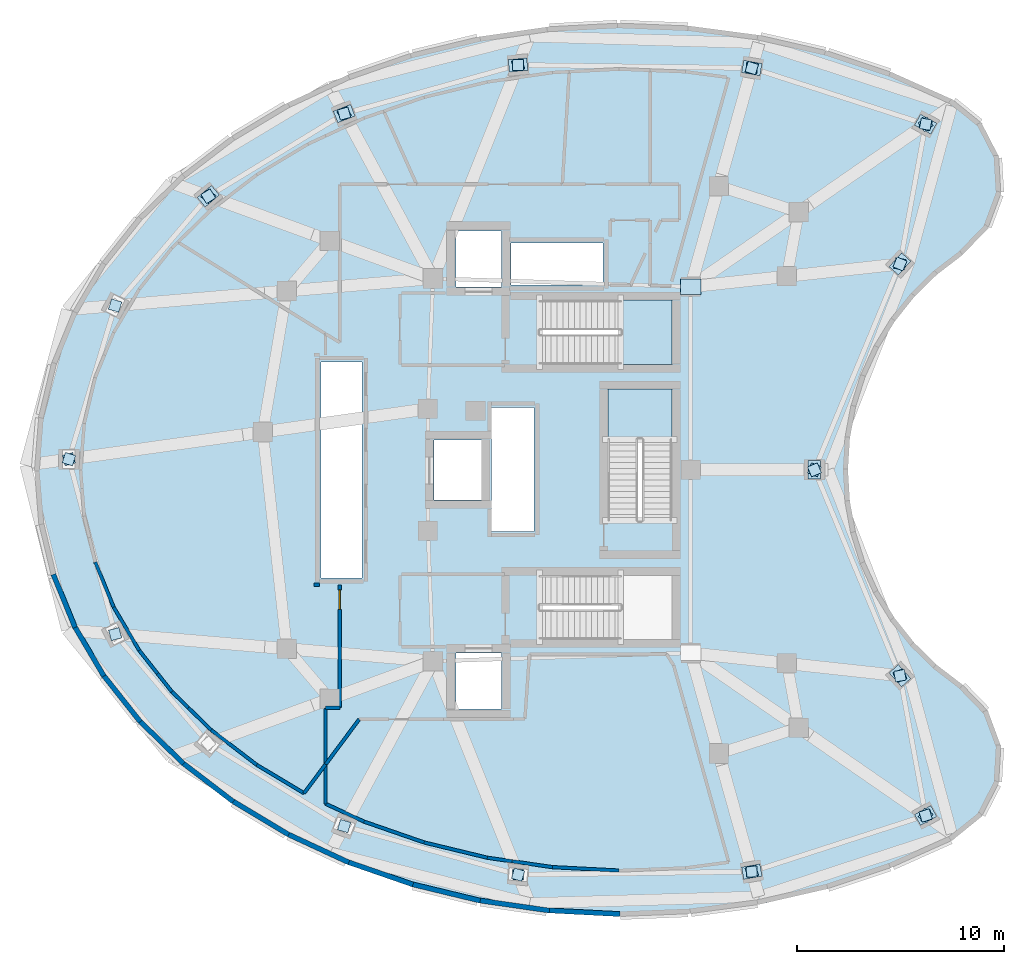
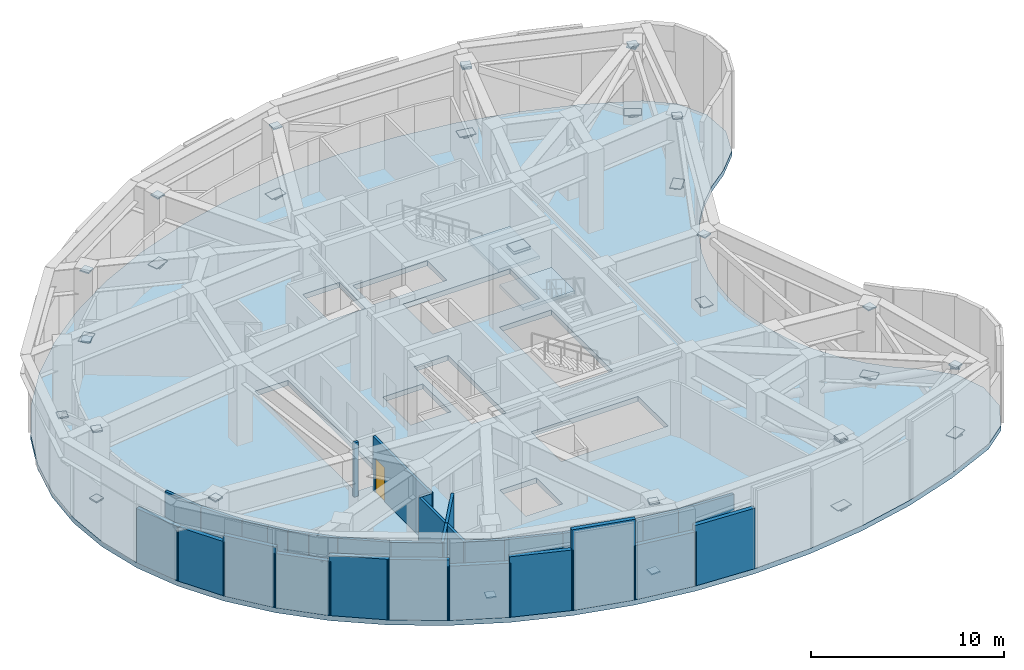
# One storey, part 3 of 10: 43 plates, 32 walls, 3 slabs, 1 door, 1 opening, 2 elements without a shape of their own.
"""IFC4 building model written with IfcOpenShell, lengths in metres."""

from ifc_helpers import new_model, si_unit, direction, frame, frame_2d, origin, origin_2d, place, context, subcontext, project, spatial, polyline, rectangle, outline, extrude, material, layer, layer_set, type_object, element, fill, aggregate, save


model = new_model("IFC4")

# Units and contexts
model_context = context("Model", 3, precision=1e-05, world=origin(), true_north=direction((0.0, 1.0)))
body_context = subcontext(model_context, "Body", "Model", "MODEL_VIEW")
ifc_project = project(units=[si_unit("LENGTHUNIT", "METRE"), si_unit("AREAUNIT", "SQUARE_METRE"), si_unit("VOLUMEUNIT", "CUBIC_METRE"), si_unit("PLANEANGLEUNIT", "RADIAN"), si_unit("MASSUNIT", "GRAM", prefix="KILO")], contexts=[model_context])

# Site, building, storey
site_placement = place(None, origin())
site = spatial("IfcSite", under=ifc_project, at=site_placement, CompositionType="ELEMENT")
building_placement = place(site_placement, origin())
building = spatial("IfcBuilding", under=site, at=building_placement, Name="Korentha Bioscience Tower", CompositionType="ELEMENT")
storey_placement = place(building_placement, frame((0.0, 0.0, 213.0)))
storey = spatial("IfcBuildingStorey", under=building, at=storey_placement, Name="L49", CompositionType="ELEMENT", Elevation=213.0)

# Plates
ifc_material_1 = material(Name="Steel S355", Category="steel")
ifc_layer_1 = layer(ifc_material_1, 0.031982421875, Name="Steel S355")
ifc_layer_set_1 = layer_set([ifc_layer_1], Name="Steel S355 (KN-01)")
plate_type_1 = type_object("IfcPlateType", Name="Belt-Truss Kink Gusset Plate 900x600x32", PredefinedType="USERDEFINED", material=ifc_layer_set_1)
for number, where, z_axis, x_axis, name in (
    (1, (48.912841796875, 43.707763671875, 0.43408203125), (0.0, 0.0, 1.0), (-0.874535078577, 0.484962262797, 0.0), "L49 Belt-Truss Kink Node Gusset KN-01"),
    (2, (40.5087890625, 46.423828125, 0.43408203125), (0.0, 0.0, 1.0), (-0.984868307662, 0.173304404339, 0.0), "L49 Belt-Truss Kink Node Gusset KN-02"),
    (3, (29.209716796875, 46.57080078125, 0.43408203125), (0.0, 0.0, 1.0), (0.995462868748, 0.095150811579, 0.0), "L49 Belt-Truss Kink Node Gusset KN-03"),
    (4, (20.802978515625, 44.220458984375, 0.43408203125), (0.0, 0.0, 1.0), (0.930225540858, 0.366988341962, 0.0), "L49 Belt-Truss Kink Node Gusset KN-04"),
    (5, (14.2353515625, 40.225341796875, 0.43408203125), (0.0, 0.0, 1.0), (0.764246456939, 0.644924300253, 0.0), "L49 Belt-Truss Kink Node Gusset KN-05"),
    (6, (40.5087890625, 7.576171875, 0.43408203125), (0.0, 0.0, 1.0), (0.984868307662, 0.173304404339, 0.0), "L49 Belt-Truss Kink Node Gusset KN-12"),
    (7, (48.912841796875, 10.292236328125, 0.43408203125), (0.0, 0.0, 1.0), (0.874535078577, 0.484962262797, 0.0), "L49 Belt-Truss Kink Node Gusset KN-13"),
    (8, (47.669921875, 17.04736328125, 0.43408203125), (0.0, 0.0, 1.0), (-0.669130606359, 0.743144825477, 0.0), "L49 Belt-Truss Kink Node Gusset KN-14"),
    (9, (43.536865234375, 27.0, 0.43408203125), (0.0, 0.0, 1.0), (0.0, 1.0, 0.0), "L49 Belt-Truss Kink Node Gusset KN-15"),
    (10, (47.669921875, 36.95263671875, 0.43408203125), (0.0, 0.0, 1.0), (0.669130606359, 0.743144825477, 0.0), "L49 Belt-Truss Kink Node Gusset KN-16"),
):
    element("IfcPlate", number, at=place(storey_placement, frame(where, z_axis=z_axis, x_axis=x_axis)), inside=storey, type_object=plate_type_1, Name=name, ObjectType="GUSSET_PLATE", PredefinedType="USERDEFINED", context=body_context, shape_type="SweptSolid", body=[
        extrude(rectangle(XDim=0.89990234375, YDim=0.60009765625, at=origin_2d()), origin(), (0.0, 0.0, 1.0), 0.031982421875),
    ])
ifc_layer_2 = layer(ifc_material_1, 0.080078125, Name="Steel S355")
ifc_layer_set_2 = layer_set([ifc_layer_2], Name="Steel S355 (CP-01)")
plate_type_2 = type_object("IfcPlateType", Name="Hollow Section End Cap Plate 520x520x80", PredefinedType="USERDEFINED", material=ifc_layer_set_2)
for number, where, z_axis, x_axis, name in (
    (11, (48.912841796875, 43.707763671875, 0.31005859375), (0.0, 0.0, 1.0), (-0.951540745537, 0.307522697673, 0.0), "L49 Belt-Truss 01 End Cap 1"),
    (12, (40.5087890625, 46.423828125, 4.7099609375), (0.0, 0.0, 1.0), (-0.951540745537, 0.307522697673, 0.0), "L49 Belt-Truss 01 End Cap 2"),
    (13, (40.5087890625, 46.423828125, 0.31005859375), (0.0, 0.0, 1.0), (-0.999914327574, 0.013089595571, 0.0), "L49 Belt-Truss 02 End Cap 1"),
    (14, (29.209716796875, 46.57080078125, 4.7099609375), (0.0, 0.0, 1.0), (-0.999914327574, 0.013089595571, 0.0), "L49 Belt-Truss 02 End Cap 2"),
    (15, (29.209716796875, 46.57080078125, 0.31005859375), (0.0, 0.0, 1.0), (0.963068637394, 0.269256011385, 0.0), "L49 Belt-Truss 03 End Cap 1"),
    (16, (20.802978515625, 44.220458984375, 4.7099609375), (0.0, 0.0, 1.0), (0.963068637394, 0.269256011385, 0.0), "L49 Belt-Truss 03 End Cap 2"),
    (17, (20.802978515625, 44.220458984375, 0.31005859375), (0.0, 0.0, 1.0), (0.854368143929, 0.519668235165, 0.0), "L49 Belt-Truss 04 End Cap 1"),
    (18, (14.2353515625, 40.225341796875, 4.7099609375), (0.0, 0.0, 1.0), (0.854368143929, 0.519668235165, 0.0), "L49 Belt-Truss 04 End Cap 2"),
    (19, (14.2353515625, 40.225341796875, 0.31005859375), (0.0, 0.0, 1.0), (0.648385688589, 0.761312024621, 0.0), "L49 Belt-Truss 05 End Cap 1"),
    (20, (9.7333984375, 34.93994140625, 0.31005859375), (0.0, 0.0, 1.0), (0.288196268134, 0.957571360805, 0.0), "L49 Belt-Truss 06 End Cap 1"),
    (21, (7.4990234375, 27.51611328125, 4.7099609375), (0.0, 0.0, 1.0), (0.288196268134, 0.957571360805, 0.0), "L49 Belt-Truss 06 End Cap 2"),
    (22, (7.4990234375, 27.51611328125, 0.31005859375), (0.0, 0.0, 1.0), (-0.255445757936, 0.966823388604, 0.0), "L49 Belt-Truss 07 End Cap 1"),
    (23, (9.7333984375, 19.06005859375, 4.7099609375), (0.0, 0.0, 1.0), (-0.255445757936, 0.966823388604, 0.0), "L49 Belt-Truss 07 End Cap 2"),
    (24, (20.802978515625, 9.779541015625, 0.31005859375), (0.0, 0.0, 1.0), (-0.963068637394, 0.269256011385, 0.0), "L49 Belt-Truss 10 End Cap 1"),
    (25, (29.209716796875, 7.42919921875, 4.7099609375), (0.0, 0.0, 1.0), (-0.963068637394, 0.269256011385, 0.0), "L49 Belt-Truss 10 End Cap 2"),
    (26, (29.209716796875, 7.42919921875, 0.31005859375), (0.0, 0.0, 1.0), (0.999914327574, 0.013089595571, 0.0), "L49 Belt-Truss 11 End Cap 1"),
    (27, (40.5087890625, 7.576171875, 4.7099609375), (0.0, 0.0, 1.0), (0.999914327574, 0.013089595571, 0.0), "L49 Belt-Truss 11 End Cap 2"),
    (28, (40.5087890625, 7.576171875, 0.31005859375), (0.0, 0.0, 1.0), (0.951540745537, 0.307522697673, 0.0), "L49 Belt-Truss 12 End Cap 1"),
    (29, (48.912841796875, 10.292236328125, 4.7099609375), (0.0, 0.0, 1.0), (0.951540745537, 0.307522697673, 0.0), "L49 Belt-Truss 12 End Cap 2"),
    (30, (48.912841796875, 10.292236328125, 0.31005859375), (0.0, 0.0, 1.0), (-0.1810341173, 0.983476816388, 0.0), "L49 Belt-Truss 13 End Cap 1"),
    (31, (47.669921875, 17.04736328125, 4.7099609375), (0.0, 0.0, 1.0), (-0.1810341173, 0.983476816388, 0.0), "L49 Belt-Truss 13 End Cap 2"),
    (32, (47.669921875, 17.04736328125, 0.31005859375), (0.0, 0.0, 1.0), (-0.383489523534, 0.923545226472, 0.0), "L49 Belt-Truss 14 End Cap 1"),
    (33, (43.536865234375, 27.0, 4.7099609375), (0.0, 0.0, 1.0), (-0.383489523534, 0.923545226472, 0.0), "L49 Belt-Truss 14 End Cap 2"),
    (34, (43.536865234375, 27.0, 0.31005859375), (0.0, 0.0, 1.0), (0.383489523534, 0.923545226472, 0.0), "L49 Belt-Truss 15 End Cap 1"),
    (35, (47.669921875, 36.95263671875, 4.7099609375), (0.0, 0.0, 1.0), (0.383489523534, 0.923545226472, 0.0), "L49 Belt-Truss 15 End Cap 2"),
    (36, (47.669921875, 36.95263671875, 0.31005859375), (0.0, 0.0, 1.0), (0.1810341173, 0.983476816388, 0.0), "L49 Belt-Truss 16 End Cap 1"),
    (37, (48.912841796875, 43.707763671875, 4.7099609375), (0.0, 0.0, 1.0), (0.1810341173, 0.983476816388, 0.0), "L49 Belt-Truss 16 End Cap 2"),
    (38, (48.912841796875, 43.707763671875, 4.60986328125), (0.0, 0.0, 1.0), (0.822541272729, 0.56870541993, 0.0), "L49 Outrigger 01 End Cap 2"),
    (39, (40.5087890625, 46.423828125, 4.60986328125), (0.0, 0.0, 1.0), (0.26942409447, 0.963021628687, 0.0), "L49 Outrigger 02 End Cap 2"),
    (40, (40.5087890625, 7.576171875, 4.60986328125), (0.0, 0.0, 1.0), (-0.26942409447, 0.963021628687, 0.0), "L49 Outrigger 03 End Cap 2"),
    (41, (48.912841796875, 10.292236328125, 4.60986328125), (0.0, 0.0, 1.0), (-0.822541272729, 0.56870541993, 0.0), "L49 Outrigger 04 End Cap 2"),
):
    element("IfcPlate", number, at=place(storey_placement, frame(where, z_axis=z_axis, x_axis=x_axis)), inside=storey, type_object=plate_type_2, Name=name, ObjectType="CAP_PLATE", PredefinedType="USERDEFINED", context=body_context, shape_type="SweptSolid", body=[
        extrude(rectangle(XDim=0.52001953125, YDim=0.52001953125, at=origin_2d()), origin(), (0.0, 0.0, 1.0), 0.080078125),
    ])

# Stair, slab
ifc_material_2 = material(Name="Precast Concrete C50", Category="concrete")
stair_type = type_object("IfcStairType", Name="Core Exit Dog-Leg Stair 1450", PredefinedType="HALF_TURN_STAIR", material=ifc_material_2)
stair_1_placement = place(storey_placement, origin())
stair_1 = element("IfcStair", 42, at=stair_1_placement, inside=storey, type_object=stair_type, Name="L49 Tower North Pressurized Exit Stair ST-1", PredefinedType="HALF_TURN_STAIR")
ifc_material_3 = material(Name="Concrete C50", Category="concrete")
ifc_layer_3 = layer(ifc_material_3, 0.199951171875, Name="Concrete C50")
ifc_layer_set_3 = layer_set([ifc_layer_3], Name="Concrete C50 (SL-LND)")
slab_type_1 = type_object("IfcSlabType", Name="Landing Slab 200", PredefinedType="LANDING", material=ifc_layer_set_3)
slab_1_placement = place(storey_placement, frame((0.0, 0.0, 2.5)))
slab_1 = element("IfcSlab", 43, at=slab_1_placement, type_object=slab_type_1, Name="ST-1 landing 1", PredefinedType="LANDING", context=body_context, shape_type="SweptSolid", body=[
    extrude(outline(polyline([(34.169921875, 32.10009765625), (36.64990234375, 32.10009765625), (36.64990234375, 35.199951171875), (34.169921875, 35.199951171875), (34.169921875, 32.10009765625)])), origin(), (0.0, 0.0, 1.0), 0.199951171875),
])
aggregate(stair_1, [slab_1])

stair_2_placement = place(storey_placement, origin())
stair_2 = element("IfcStair", 44, at=stair_2_placement, inside=storey, type_object=stair_type, Name="L49 Tower Central Pressurized Exit Stair ST-3", PredefinedType="HALF_TURN_STAIR")
slab_2_placement = place(storey_placement, frame((0.0, 0.0, 2.5)))
slab_2 = element("IfcSlab", 45, at=slab_2_placement, type_object=slab_type_1, Name="ST-3 landing 1", PredefinedType="LANDING", context=body_context, shape_type="SweptSolid", body=[
    extrude(outline(polyline([(36.64990234375, 28.469970703125), (36.64990234375, 30.89990234375), (33.550048828125, 30.89990234375), (33.550048828125, 28.469970703125), (36.64990234375, 28.469970703125)])), origin(), (0.0, 0.0, 1.0), 0.199951171875),
])
aggregate(stair_2, [slab_2])

# Slab
ifc_layer_4 = layer(ifc_material_3, 0.320068359375, Name="Concrete C50")
ifc_layer_set_4 = layer_set([ifc_layer_4], Name="Concrete C50 (SL-M320)")
slab_type_2 = type_object("IfcSlabType", Name="Mechanical Plant Heavy Slab 320", PredefinedType="FLOOR", material=ifc_layer_set_4)
slab_3_placement = place(storey_placement, frame((0.0, 0.0, -0.320068359375)))
element("IfcSlab", 46, at=slab_3_placement, inside=storey, type_object=slab_type_2, Name="L49 Tower Structural Floor Slab", PredefinedType="FLOOR", context=body_context, shape_type="SweptSolid", body=[
    extrude(outline(polyline([(50.209228515625, 44.902099609375), (47.26416015625, 46.22119140625), (44.1318359375, 47.262939453125), (40.857666015625, 48.011962890625), (37.488525390625, 48.45751953125), (34.0732421875, 48.593505859375), (30.6611328125, 48.41748046875), (27.301513671875, 47.93212890625), (24.04296875, 47.144775390625), (20.932373046875, 46.06640625), (18.0146484375, 44.712890625), (15.33203125, 43.103515625), (12.923095703125, 41.261474609375), (10.822998046875, 39.213623046875), (9.0615234375, 36.989501953125), (7.66455078125, 34.62109375), (6.65185546875, 32.142822265625), (6.03857421875, 29.590087890625), (5.8330078125, 27.0), (6.03857421875, 24.409912109375), (6.65185546875, 21.857177734375), (7.66455078125, 19.37890625), (9.0615234375, 17.010498046875), (10.822998046875, 14.786376953125), (12.923095703125, 12.738525390625), (15.33203125, 10.896484375), (18.0146484375, 9.287109375), (20.932373046875, 7.93359375), (24.04296875, 6.855224609375), (27.301513671875, 6.06787109375), (30.6611328125, 5.58251953125), (34.0732421875, 5.406494140625), (37.488525390625, 5.54248046875), (40.857666015625, 5.988037109375), (44.1318359375, 6.737060546875), (47.26416015625, 7.77880859375), (50.209228515625, 9.097900390625), (51.61376953125, 10.23486328125), (52.440673828125, 11.841552734375), (52.54931640625, 13.6455078125), (51.92138671875, 15.340087890625), (50.66357421875, 16.637451171875), (49.452880859375, 17.56640625), (48.3642578125, 18.63623046875), (47.414306640625, 19.83056640625), (46.616943359375, 21.1318359375), (45.98388671875, 22.5205078125), (45.525146484375, 23.97607421875), (45.246826171875, 25.476806640625), (45.15380859375, 27.0), (45.246826171875, 28.523193359375), (45.525146484375, 30.02392578125), (45.98388671875, 31.4794921875), (46.616943359375, 32.8681640625), (47.414306640625, 34.16943359375), (48.3642578125, 35.36376953125), (49.452880859375, 36.43359375), (50.66357421875, 37.362548828125), (51.92138671875, 38.659912109375), (52.54931640625, 40.3544921875), (52.440673828125, 42.158447265625), (51.61376953125, 43.76513671875), (50.209228515625, 44.902099609375)]), holes=[polyline([(30.25, 32.10009765625), (36.64990234375, 32.10009765625), (36.64990234375, 35.199951171875), (30.25, 35.199951171875), (30.25, 32.10009765625)]), polyline([(30.25, 18.800048828125), (36.64990234375, 18.800048828125), (36.64990234375, 21.89990234375), (30.25, 21.89990234375), (30.25, 18.800048828125)]), polyline([(36.64990234375, 24.550048828125), (36.64990234375, 30.89990234375), (33.550048828125, 30.89990234375), (33.550048828125, 24.550048828125), (36.64990234375, 24.550048828125)]), polyline([(19.679931640625, 21.780029296875), (21.669921875, 21.780029296875), (21.669921875, 32.219970703125), (19.679931640625, 32.219970703125), (19.679931640625, 21.780029296875)]), polyline([(27.929931640625, 24.030029296875), (29.969970703125, 24.030029296875), (29.969970703125, 30.02001953125), (27.929931640625, 30.02001953125), (27.929931640625, 24.030029296875)]), polyline([(28.860107421875, 35.93994140625), (33.31005859375, 35.93994140625), (33.31005859375, 37.9599609375), (28.860107421875, 37.9599609375), (28.860107421875, 35.93994140625)]), polyline([(26.199951171875, 15.449951171875), (28.39990234375, 15.449951171875), (28.39990234375, 18.14990234375), (26.199951171875, 18.14990234375), (26.199951171875, 15.449951171875)]), polyline([(26.199951171875, 35.85009765625), (28.39990234375, 35.85009765625), (28.39990234375, 38.550048828125), (26.199951171875, 38.550048828125), (26.199951171875, 35.85009765625)]), polyline([(25.14990234375, 25.550048828125), (27.550048828125, 25.550048828125), (27.550048828125, 28.449951171875), (25.14990234375, 28.449951171875), (25.14990234375, 25.550048828125)])]), origin(), (0.0, 0.0, 1.0), 0.320068359375),
])

# Plates
ifc_layer_5 = layer(ifc_material_1, 0.035888671875, Name="Steel S355")
ifc_layer_set_5 = layer_set([ifc_layer_5], Name="Steel S355 (KN-02)")
plate_type_3 = type_object("IfcPlateType", Name="Outrigger Core Node Gusset Plate 1000x750x36", PredefinedType="USERDEFINED", material=ifc_layer_set_5)
for number, where, z_axis, x_axis, name in (
    (47, (37.550048828125, 35.85009765625, 0.58203125), (0.0, 0.0, 1.0), (1.0, 0.0, 0.0), "L49 Outrigger Core Gusset KN-01"),
    (48, (37.550048828125, 35.85009765625, 0.73193359375), (0.0, 0.0, 1.0), (1.0, 0.0, 0.0), "L49 Outrigger Core Gusset KN-02"),
):
    element("IfcPlate", number, at=place(storey_placement, frame(where, z_axis=z_axis, x_axis=x_axis)), inside=storey, type_object=plate_type_3, Name=name, ObjectType="GUSSET_PLATE", PredefinedType="USERDEFINED", context=body_context, shape_type="SweptSolid", body=[
        extrude(rectangle(XDim=1.0, YDim=0.75, at=origin_2d()), origin(), (0.0, 0.0, 1.0), 0.035888671875),
    ])

# Wall, opening, door
ifc_material_4 = material(Name="Gypsum-Clad Steel Stud", Category="steel")
ifc_layer_6 = layer(ifc_material_4, 0.159912109375, Name="Gypsum-Clad Steel Stud")
ifc_layer_set_6 = layer_set([ifc_layer_6], Name="Gypsum-Clad Steel Stud (IW-C160)")
wall_type_1 = type_object("IfcWallType", Name="Fire-Rated Corridor Partition Wall 160", PredefinedType="PARTITIONING", material=ifc_layer_set_6)
wall_1_placement = place(storey_placement, frame((20.590087890625, 21.43994140625, 0.0), z_axis=(0.0, 0.0, 1.0), x_axis=(0.0, -1.0, 0.0)))
wall_1 = element("IfcWall", 49, at=wall_1_placement, inside=storey, type_object=wall_type_1, Name="L49 Laboratory Make-Up Air Handling Plant 01 Entrance Wall", PredefinedType="PARTITIONING", context=body_context, shape_type="SweptSolid", body=[
    extrude(rectangle(XDim=5.93798828125, YDim=0.159912109375, at=frame_2d((2.968994140625, 0.0))), origin(), (0.0, 0.0, 1.0), 3.409912109375),
])
opening_placement = place(wall_1_placement, frame((0.239990234375, 0.0, 0.0)))
opening = element("IfcOpeningElement", 50, at=opening_placement, cuts=wall_1, Name="Opening FD-120D", PredefinedType="OPENING", context=body_context, shape_type="SweptSolid", body=[
    extrude(rectangle(XDim=0.949951171875, YDim=2.14990234375, at=frame_2d((0.47509765625, 1.074951171875))), frame((0.0, 0.0947265625, 0.0), z_axis=(0.0, -1.0, 0.0), x_axis=(1.0, 0.0, 0.0)), (0.0, 0.0, 1.0), 0.189697265625),
])
ifc_material_5 = material(Name="Heavy-Duty Insulated Steel", Category="steel")
door_type = type_object("IfcDoorType", Name="Plant & Riser Fire Door 950x2150 Left", OperationType="SINGLE_SWING_LEFT", PredefinedType="DOOR", material=ifc_material_5)
door_placement = place(opening_placement, origin())
door = element("IfcDoor", 51, at=door_placement, inside=storey, type_object=door_type, Name="L49 Laboratory Make-Up Air Handling Plant 01 Door", OperationType="SINGLE_SWING_LEFT", OverallHeight=2.14990234375, OverallWidth=0.949951171875, PredefinedType="DOOR", context=body_context, shape_type="SweptSolid", body=[
    extrude(rectangle(XDim=0.949951171875, YDim=2.14990234375, at=frame_2d((0.47509765625, 1.074951171875))), frame((0.0, 0.02490234375, 0.0), z_axis=(0.0, -1.0, 0.0), x_axis=(1.0, 0.0, 0.0)), (0.0, 0.0, 1.0), 0.050048828125),
])
fill(opening, door)

# Walls
wall_2_placement = place(storey_placement, frame((19.35009765625, 21.43994140625, 0.0), z_axis=(0.0, 0.0, 1.0), x_axis=(1.0, 0.0, 0.0)))
element("IfcWall", 52, at=wall_2_placement, inside=storey, type_object=wall_type_1, Name="L49 Interior Partition 018", PredefinedType="PARTITIONING", context=body_context, shape_type="SweptSolid", body=[
    extrude(rectangle(XDim=0.27001953125, YDim=0.159912109375, at=frame_2d((0.135009765625, 0.0))), origin(), (0.0, 0.0, 1.0), 3.409912109375),
])
wall_3_placement = place(storey_placement, frame((20.590087890625, 15.501953125, 0.0), z_axis=(0.0, 0.0, 1.0), x_axis=(-1.0, 0.0, 0.0)))
element("IfcWall", 53, at=wall_3_placement, inside=storey, type_object=wall_type_1, Name="L49 Interior Partition 019", PredefinedType="PARTITIONING", context=body_context, shape_type="SweptSolid", body=[
    extrude(rectangle(XDim=0.68798828125, YDim=0.159912109375, at=frame_2d((0.343994140625, 0.0))), origin(), (0.0, 0.0, 1.0), 3.409912109375),
])
wall_4_placement = place(storey_placement, frame((19.89794921875, 15.497802734375, 0.0), z_axis=(0.0, 0.0, 1.0), x_axis=(0.0, -1.0, 0.0)))
element("IfcWall", 54, at=wall_4_placement, inside=storey, type_object=wall_type_1, Name="L49 Interior Partition 020", PredefinedType="PARTITIONING", context=body_context, shape_type="SweptSolid", body=[
    extrude(rectangle(XDim=2.741943359375, YDim=0.159912109375, at=frame_2d((1.37109375, 0.0))), origin(), (0.0, 0.0, 1.0), 3.409912109375),
])
wall_5_placement = place(storey_placement, frame((19.89794921875, 12.755615234375, 0.0), z_axis=(0.0, 0.0, 1.0), x_axis=(-0.596972783924, -0.802261488079, 0.0)))
element("IfcWall", 55, at=wall_5_placement, inside=storey, type_object=wall_type_1, Name="L49 Interior Partition 021", PredefinedType="PARTITIONING", context=body_context, shape_type="SweptSolid", body=[
    extrude(rectangle(XDim=1.7314453125, YDim=0.159912109375, at=frame_2d((0.86572265625, 0.0))), origin(), (0.0, 0.0, 1.0), 3.409912109375),
])
wall_6_placement = place(storey_placement, frame((18.864013671875, 11.366455078125, 0.0), z_axis=(0.0, 0.0, 1.0), x_axis=(-0.857533385473, 0.514428316483, 0.0)))
element("IfcWall", 56, at=wall_6_placement, inside=storey, type_object=wall_type_1, Name="L49 Interior Partition 022", PredefinedType="PARTITIONING", context=body_context, shape_type="SweptSolid", body=[
    extrude(rectangle(XDim=2.661865234375, YDim=0.159912109375, at=frame_2d((1.3310546875, 0.0))), origin(), (0.0, 0.0, 1.0), 3.409912109375),
])
wall_7_placement = place(storey_placement, frame((16.5810546875, 12.736083984375, 0.0), z_axis=(0.0, 0.0, 1.0), x_axis=(-0.794377819554, 0.607423970387, 0.0)))
element("IfcWall", 57, at=wall_7_placement, inside=storey, type_object=wall_type_1, Name="L49 Interior Partition 023", PredefinedType="PARTITIONING", context=body_context, shape_type="SweptSolid", body=[
    extrude(rectangle(XDim=2.773681640625, YDim=0.159912109375, at=frame_2d((1.38671875, 0.0))), origin(), (0.0, 0.0, 1.0), 3.409912109375),
])
wall_8_placement = place(storey_placement, frame((14.37744140625, 14.421142578125, 0.0), z_axis=(0.0, 0.0, 1.0), x_axis=(-0.715994205219, 0.698106222643, 0.0)))
element("IfcWall", 58, at=wall_8_placement, inside=storey, type_object=wall_type_1, Name="L49 Interior Partition 024", PredefinedType="PARTITIONING", context=body_context, shape_type="SweptSolid", body=[
    extrude(rectangle(XDim=1.542236328125, YDim=0.159912109375, at=frame_2d((0.77099609375, 0.0))), origin(), (0.0, 0.0, 1.0), 3.409912109375),
])
wall_9_placement = place(storey_placement, frame((13.268798828125, 15.502197265625, 0.0), z_axis=(0.0, 0.0, 1.0), x_axis=(-0.716077179143, 0.69802111251, 0.0)))
element("IfcWall", 59, at=wall_9_placement, inside=storey, type_object=wall_type_1, Name="L49 Interior Partition 025", PredefinedType="PARTITIONING", context=body_context, shape_type="SweptSolid", body=[
    extrude(rectangle(XDim=1.108642578125, YDim=0.159912109375, at=frame_2d((0.55419921875, 0.0))), origin(), (0.0, 0.0, 1.0), 3.409912109375),
])
wall_10_placement = place(storey_placement, frame((12.474609375, 16.276611328125, 0.0), z_axis=(0.0, 0.0, 1.0), x_axis=(-0.62099516622, 0.783814393547, 0.0)))
element("IfcWall", 60, at=wall_10_placement, inside=storey, type_object=wall_type_1, Name="L49 Interior Partition 026", PredefinedType="PARTITIONING", context=body_context, shape_type="SweptSolid", body=[
    extrude(rectangle(XDim=1.112548828125, YDim=0.159912109375, at=frame_2d((0.55615234375, 0.0))), origin(), (0.0, 0.0, 1.0), 3.409912109375),
])
wall_11_placement = place(storey_placement, frame((11.781005859375, 17.15234375, 0.0), z_axis=(0.0, 0.0, 1.0), x_axis=(-0.620821441488, 0.783951999671, 0.0)))
element("IfcWall", 61, at=wall_11_placement, inside=storey, type_object=wall_type_1, Name="L49 Interior Partition 027", PredefinedType="PARTITIONING", context=body_context, shape_type="SweptSolid", body=[
    extrude(rectangle(XDim=1.4248046875, YDim=0.159912109375, at=frame_2d((0.71240234375, 0.0))), origin(), (0.0, 0.0, 1.0), 3.409912109375),
])
wall_12_placement = place(storey_placement, frame((10.896240234375, 18.26953125, 0.0), z_axis=(0.0, 0.0, 1.0), x_axis=(-0.50804031374, 0.86133329183, 0.0)))
element("IfcWall", 62, at=wall_12_placement, inside=storey, type_object=wall_type_1, Name="L49 Interior Partition 028", PredefinedType="PARTITIONING", context=body_context, shape_type="SweptSolid", body=[
    extrude(rectangle(XDim=2.43603515625, YDim=0.159912109375, at=frame_2d((1.218017578125, 0.0))), origin(), (0.0, 0.0, 1.0), 3.409912109375),
])
wall_13_placement = place(storey_placement, frame((9.658447265625, 20.367919921875, 0.0), z_axis=(0.0, 0.0, 1.0), x_axis=(-0.37817908292, 0.925732456621, 0.0)))
element("IfcWall", 63, at=wall_13_placement, inside=storey, type_object=wall_type_1, Name="L49 Interior Partition 029", PredefinedType="PARTITIONING", context=body_context, shape_type="SweptSolid", body=[
    extrude(rectangle(XDim=2.3466796875, YDim=0.159912109375, at=frame_2d((1.17333984375, 0.0))), origin(), (0.0, 0.0, 1.0), 3.409912109375),
])
wall_14_placement = place(storey_placement, frame((34.086181640625, 7.62890625, 0.0), z_axis=(0.0, 0.0, 1.0), x_axis=(-0.998671869971, 0.051521802453, 0.0)))
element("IfcWall", 64, at=wall_14_placement, inside=storey, type_object=wall_type_1, Name="L49 Interior Partition 044", PredefinedType="PARTITIONING", context=body_context, shape_type="SweptSolid", body=[
    extrude(rectangle(XDim=3.212646484375, YDim=0.159912109375, at=frame_2d((1.6064453125, 0.0))), origin(), (0.0, 0.0, 1.0), 3.409912109375),
])
wall_15_placement = place(storey_placement, frame((30.87744140625, 7.79443359375, 0.0), z_axis=(0.0, 0.0, 1.0), x_axis=(-0.989722906108, 0.142998493439, 0.0)))
element("IfcWall", 65, at=wall_15_placement, inside=storey, type_object=wall_type_1, Name="L49 Interior Partition 045", PredefinedType="PARTITIONING", context=body_context, shape_type="SweptSolid", body=[
    extrude(rectangle(XDim=1.971923828125, YDim=0.159912109375, at=frame_2d((0.98583984375, 0.0))), origin(), (0.0, 0.0, 1.0), 3.409912109375),
])
wall_16_placement = place(storey_placement, frame((28.921630859375, 8.076904296875, 0.0), z_axis=(0.0, 0.0, 1.0), x_axis=(-0.989722656499, 0.143000221024, 0.0)))
element("IfcWall", 66, at=wall_16_placement, inside=storey, type_object=wall_type_1, Name="L49 Interior Partition 046", PredefinedType="PARTITIONING", context=body_context, shape_type="SweptSolid", body=[
    extrude(rectangle(XDim=1.212158203125, YDim=0.159912109375, at=frame_2d((0.60595703125, 0.0))), origin(), (0.0, 0.0, 1.0), 3.409912109375),
])
wall_17_placement = place(storey_placement, frame((27.7216796875, 8.250244140625, 0.0), z_axis=(0.0, 0.0, 1.0), x_axis=(-0.972019203174, 0.234901401999, 0.0)))
element("IfcWall", 67, at=wall_17_placement, inside=storey, type_object=wall_type_1, Name="L49 Interior Partition 047", PredefinedType="PARTITIONING", context=body_context, shape_type="SweptSolid", body=[
    extrude(rectangle(XDim=3.140869140625, YDim=0.159912109375, at=frame_2d((1.5703125, 0.0))), origin(), (0.0, 0.0, 1.0), 3.409912109375),
])
wall_18_placement = place(storey_placement, frame((24.668701171875, 8.988037109375, 0.0), z_axis=(0.0, 0.0, 1.0), x_axis=(-0.944849967257, 0.32750349521, 0.0)))
element("IfcWall", 68, at=wall_18_placement, inside=storey, type_object=wall_type_1, Name="L49 Interior Partition 048", PredefinedType="PARTITIONING", context=body_context, shape_type="SweptSolid", body=[
    extrude(rectangle(XDim=3.07275390625, YDim=0.159912109375, at=frame_2d((1.536376953125, 0.0))), origin(), (0.0, 0.0, 1.0), 3.409912109375),
])
wall_19_placement = place(storey_placement, frame((21.76513671875, 9.99462890625, 0.0), z_axis=(0.0, 0.0, 1.0), x_axis=(-0.907143514613, 0.420821391918, 0.0)))
element("IfcWall", 69, at=wall_19_placement, inside=storey, type_object=wall_type_1, Name="L49 Interior Partition 049", PredefinedType="PARTITIONING", context=body_context, shape_type="SweptSolid", body=[
    extrude(rectangle(XDim=2.0537109375, YDim=0.159912109375, at=frame_2d((1.02685546875, 0.0))), origin(), (0.0, 0.0, 1.0), 3.409912109375),
])
wall_20_placement = place(storey_placement, frame((19.902099609375, 10.85888671875, 0.0), z_axis=(0.0, 0.0, 1.0), x_axis=(0.0, 1.0, 0.0)))
element("IfcWall", 70, at=wall_20_placement, inside=storey, type_object=wall_type_1, Name="L49 Interior Partition 050", PredefinedType="PARTITIONING", context=body_context, shape_type="SweptSolid", body=[
    extrude(rectangle(XDim=1.885498046875, YDim=0.159912109375, at=frame_2d((0.94287109375, 0.0))), origin(), (0.0, 0.0, 1.0), 3.409912109375),
])
wall_21_placement = place(storey_placement, frame((19.907958984375, 12.762451171875, 0.0), z_axis=(0.0, 0.0, 1.0), x_axis=(0.596987882784, 0.802250252607, 0.0)))
element("IfcWall", 71, at=wall_21_placement, inside=storey, type_object=wall_type_1, Name="L49 Interior Partition 051", PredefinedType="PARTITIONING", context=body_context, shape_type="SweptSolid", body=[
    extrude(rectangle(XDim=2.714111328125, YDim=0.159912109375, at=frame_2d((1.35693359375, 0.0))), origin(), (0.0, 0.0, 1.0), 3.409912109375),
])
ifc_material_6 = material(Name="Insulated Precast Concrete C40", Category="concrete")
ifc_layer_7 = layer(ifc_material_6, 0.239990234375, Name="Insulated Precast Concrete C40")
ifc_layer_set_7 = layer_set([ifc_layer_7], Name="Insulated Precast Concrete C40 (EW-PL240)")
wall_type_2 = type_object("IfcWallType", Name="Plant Acoustic Louvre Backup Wall 240", PredefinedType="STANDARD", material=ifc_layer_set_7)
wall_22_placement = place(storey_placement, frame((6.744140625, 21.948974609375, 0.0), z_axis=(0.0, 0.0, 1.0), x_axis=(0.378170709687, -0.9257358772, 0.0)))
element("IfcWall", 72, at=wall_22_placement, inside=storey, type_object=wall_type_2, Name="L49 Plant Louvre Backup Wall 21", PredefinedType="STANDARD", context=body_context, shape_type="SweptSolid", body=[
    extrude(rectangle(XDim=2.77734375, YDim=0.239990234375, at=frame_2d((1.388671875, 0.0))), origin(), (0.0, 0.0, 1.0), 3.425048828125),
])
wall_23_placement = place(storey_placement, frame((7.742431640625, 19.48291015625, 0.0), z_axis=(0.0, 0.0, 1.0), x_axis=(0.508030654856, -0.861338988858, 0.0)))
element("IfcWall", 73, at=wall_23_placement, inside=storey, type_object=wall_type_2, Name="L49 Plant Louvre Backup Wall 22", PredefinedType="STANDARD", context=body_context, shape_type="SweptSolid", body=[
    extrude(rectangle(XDim=2.849853515625, YDim=0.239990234375, at=frame_2d((1.4248046875, 0.0))), origin(), (0.0, 0.0, 1.0), 3.425048828125),
])
wall_24_placement = place(storey_placement, frame((9.12451171875, 17.1240234375, 0.0), z_axis=(0.0, 0.0, 1.0), x_axis=(0.620845582717, -0.783932881324, 0.0)))
element("IfcWall", 74, at=wall_24_placement, inside=storey, type_object=wall_type_2, Name="L49 Plant Louvre Backup Wall 23", PredefinedType="STANDARD", context=body_context, shape_type="SweptSolid", body=[
    extrude(rectangle(XDim=2.93701171875, YDim=0.239990234375, at=frame_2d((1.468505859375, 0.0))), origin(), (0.0, 0.0, 1.0), 3.824951171875),
])
wall_25_placement = place(storey_placement, frame((10.870849609375, 14.906982421875, 0.0), z_axis=(0.0, 0.0, 1.0), x_axis=(0.716024277957, -0.698075378004, 0.0)))
element("IfcWall", 75, at=wall_25_placement, inside=storey, type_object=wall_type_2, Name="L49 Plant Louvre Backup Wall 24", PredefinedType="STANDARD", context=body_context, shape_type="SweptSolid", body=[
    extrude(rectangle(XDim=3.033203125, YDim=0.239990234375, at=frame_2d((1.5166015625, 0.0))), origin(), (0.0, 0.0, 1.0), 3.425048828125),
])
wall_26_placement = place(storey_placement, frame((12.956298828125, 12.8642578125, 0.0), z_axis=(0.0, 0.0, 1.0), x_axis=(0.794391016962, -0.607406710673, 0.0)))
element("IfcWall", 76, at=wall_26_placement, inside=storey, type_object=wall_type_2, Name="L49 Plant Louvre Backup Wall 25", PredefinedType="STANDARD", context=body_context, shape_type="SweptSolid", body=[
    extrude(rectangle(XDim=3.13232421875, YDim=0.239990234375, at=frame_2d((1.566162109375, 0.0))), origin(), (0.0, 0.0, 1.0), 3.824951171875),
])
wall_27_placement = place(storey_placement, frame((15.350830078125, 11.025146484375, 0.0), z_axis=(0.0, 0.0, 1.0), x_axis=(0.857559644275, -0.514384541478, 0.0)))
element("IfcWall", 77, at=wall_27_placement, inside=storey, type_object=wall_type_2, Name="L49 Plant Louvre Backup Wall 26", PredefinedType="STANDARD", context=body_context, shape_type="SweptSolid", body=[
    extrude(rectangle(XDim=3.228515625, YDim=0.239990234375, at=frame_2d((1.6142578125, 0.0))), origin(), (0.0, 0.0, 1.0), 3.824951171875),
])
wall_28_placement = place(storey_placement, frame((18.019775390625, 9.4169921875, 0.0), z_axis=(0.0, 0.0, 1.0), x_axis=(0.907160542428, -0.420784683967, 0.0)))
element("IfcWall", 78, at=wall_28_placement, inside=storey, type_object=wall_type_2, Name="L49 Plant Louvre Backup Wall 27", PredefinedType="STANDARD", context=body_context, shape_type="SweptSolid", body=[
    extrude(rectangle(XDim=3.31640625, YDim=0.239990234375, at=frame_2d((1.658203125, 0.0))), origin(), (0.0, 0.0, 1.0), 3.425048828125),
])
wall_29_placement = place(storey_placement, frame((20.924560546875, 8.0634765625, 0.0), z_axis=(0.0, 0.0, 1.0), x_axis=(0.944829367367, -0.327562920004, 0.0)))
element("IfcWall", 79, at=wall_29_placement, inside=storey, type_object=wall_type_2, Name="L49 Plant Louvre Backup Wall 28", PredefinedType="STANDARD", context=body_context, shape_type="SweptSolid", body=[
    extrude(rectangle(XDim=3.39208984375, YDim=0.239990234375, at=frame_2d((1.696044921875, 0.0))), origin(), (0.0, 0.0, 1.0), 3.824951171875),
])
wall_30_placement = place(storey_placement, frame((24.022705078125, 6.983642578125, 0.0), z_axis=(0.0, 0.0, 1.0), x_axis=(0.972029900204, -0.2348571334, 0.0)))
element("IfcWall", 80, at=wall_30_placement, inside=storey, type_object=wall_type_2, Name="L49 Plant Louvre Backup Wall 29", PredefinedType="STANDARD", context=body_context, shape_type="SweptSolid", body=[
    extrude(rectangle(XDim=3.452392578125, YDim=0.239990234375, at=frame_2d((1.72607421875, 0.0))), origin(), (0.0, 0.0, 1.0), 5.10009765625),
])
wall_31_placement = place(storey_placement, frame((27.269287109375, 6.19384765625, 0.0), z_axis=(0.0, 0.0, 1.0), x_axis=(0.989720446938, -0.143015512839, 0.0)))
element("IfcWall", 81, at=wall_31_placement, inside=storey, type_object=wall_type_2, Name="L49 Plant Louvre Backup Wall 30", PredefinedType="STANDARD", context=body_context, shape_type="SweptSolid", body=[
    extrude(rectangle(XDim=3.494384765625, YDim=0.239990234375, at=frame_2d((1.7470703125, 0.0))), origin(), (0.0, 0.0, 1.0), 3.425048828125),
])
wall_32_placement = place(storey_placement, frame((30.617431640625, 5.705078125, 0.0), z_axis=(0.0, 0.0, 1.0), x_axis=(0.998672322768, -0.051513024921, 0.0)))
element("IfcWall", 82, at=wall_32_placement, inside=storey, type_object=wall_type_2, Name="L49 Plant Louvre Backup Wall 31", PredefinedType="STANDARD", context=body_context, shape_type="SweptSolid", body=[
    extrude(rectangle(XDim=3.5166015625, YDim=0.239990234375, at=frame_2d((1.75830078125, 0.0))), origin(), (0.0, 0.0, 1.0), 3.824951171875),
])

save(model, "model.ifc")
